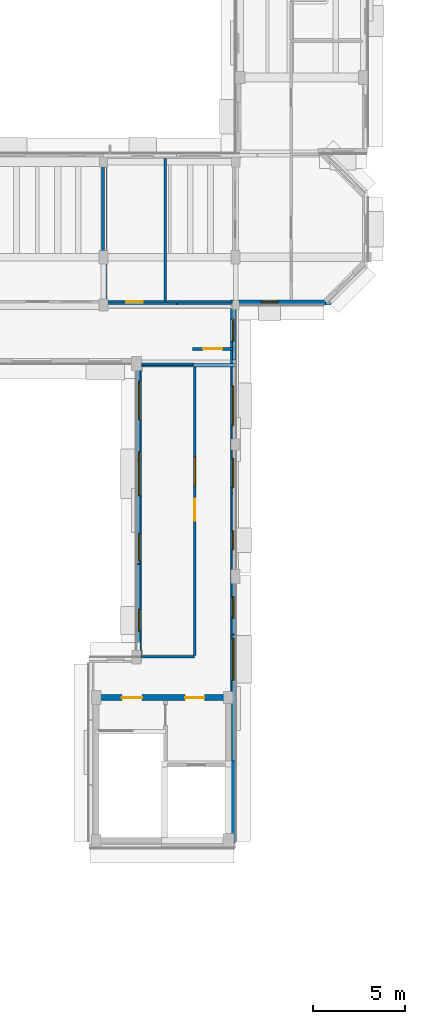
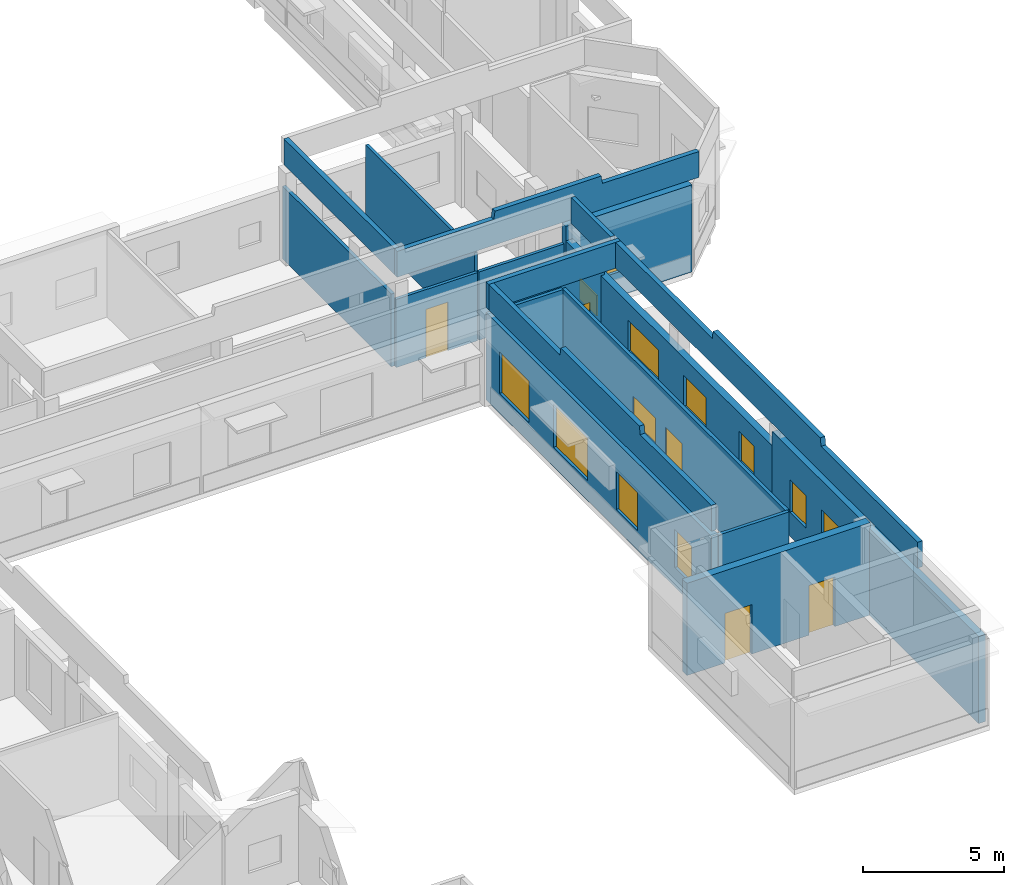
# One storey, part 10 of 17: 19 walls, 12 windows, 5 doors, 17 openings.
"""IFC4 building model written with IfcOpenShell, lengths in metres."""

from ifc_helpers import new_model, si_unit, direction, frame, frame_2d, origin, place, context, subcontext, project, spatial, polyline, rectangle, outline, extrude, material, layer, layer_set, type_object, element, fill, save


model = new_model("IFC4")

# Units and contexts
model_context = context("Model", 3, precision=1e-05, world=origin(), true_north=direction((0.0, 1.0)))
body_context = subcontext(model_context, "Body", "Model", "MODEL_VIEW")
ifc_project = project(units=[si_unit("LENGTHUNIT", "METRE"), si_unit("AREAUNIT", "SQUARE_METRE"), si_unit("VOLUMEUNIT", "CUBIC_METRE"), si_unit("PLANEANGLEUNIT", "RADIAN"), si_unit("MASSUNIT", "GRAM", prefix="KILO")], contexts=[model_context])

# Site, building, storey
site_placement = place(None, origin())
site = spatial("IfcSite", under=ifc_project, at=site_placement, CompositionType="ELEMENT")
building_placement = place(site_placement, origin())
building = spatial("IfcBuilding", under=site, at=building_placement, Name="Kelanivale Promenade Academy", CompositionType="ELEMENT")
storey_placement = place(building_placement, frame((0.0, 0.0, 20.199951171875)))
storey = spatial("IfcBuildingStorey", under=building, at=storey_placement, Name="L05", CompositionType="ELEMENT", Elevation=20.199951171875)

# Wall, openings, doors
ifc_material_1 = material(Name="Concrete C40/50", Category="concrete")
ifc_layer_1 = layer(ifc_material_1, 0.330078125)
ifc_layer_set_1 = layer_set([ifc_layer_1], Name="Concrete C40/50")
wall_type_1 = type_object("IfcWallType", Name="CW-S1 Wall 330mm", PredefinedType="SHEAR", material=ifc_layer_set_1)
wall_1_placement = place(storey_placement, frame((107.8349609375, 50.199951171875, 0.0), z_axis=(0.0, 0.0, 1.0), x_axis=(1.0, 0.0, 0.0)))
wall_1 = element("IfcWall", 1, at=wall_1_placement, inside=storey, type_object=wall_type_1, Name="CORE-3 RC shear wall N L05", PredefinedType="SHEAR", context=body_context, shape_type="SweptSolid", body=[
    extrude(rectangle(XDim=7.530029296875, YDim=0.330078125, at=frame_2d((3.76513671875, 0.0))), origin(), (0.0, 0.0, 1.0), 4.0),
])
opening_1_placement = place(wall_1_placement, frame((5.014892578125, 0.0, 0.0)))
opening_1 = element("IfcOpeningElement", 2, at=opening_1_placement, cuts=wall_1, Name="Opening FD-CORE-3-LB-L05", PredefinedType="OPENING", context=body_context, shape_type="SweptSolid", body=[
    extrude(rectangle(XDim=1.050048828125, YDim=2.14990234375, at=frame_2d((0.52490234375, 1.074951171875))), frame((0.0, 0.175048828125, 0.0), z_axis=(0.0, -1.0, 0.0), x_axis=(1.0, 0.0, 0.0)), (0.0, 0.0, 1.0), 0.35009765625),
])
opening_2_placement = place(wall_1_placement, frame((1.56494140625, 0.0, 0.0)))
opening_2 = element("IfcOpeningElement", 3, at=opening_2_placement, cuts=wall_1, Name="Opening FD-CORE-3-ST-L05", PredefinedType="OPENING", context=body_context, shape_type="SweptSolid", body=[
    extrude(rectangle(XDim=1.10009765625, YDim=2.14990234375, at=frame_2d((0.550048828125, 1.074951171875))), frame((0.0, 0.175048828125, 0.0), z_axis=(0.0, -1.0, 0.0), x_axis=(1.0, 0.0, 0.0)), (0.0, 0.0, 1.0), 0.35009765625),
])
ifc_material_2 = material(Name="Fire-rated steel-core teak veneer", Category="steel")
door_type_1 = type_object("IfcDoorType", Name="DT-F01 Door 1100x2150", OperationType="NOTDEFINED", PredefinedType="DOOR", material=ifc_material_2)
door_1_placement = place(opening_2_placement, origin())
door_1 = element("IfcDoor", 4, at=door_1_placement, inside=storey, type_object=door_type_1, Name="CORE-3 protected stair fire door L05", OperationType="SINGLE_SWING_RIGHT", OverallHeight=2.14990234375, OverallWidth=1.10009765625, PredefinedType="DOOR", context=body_context, shape_type="SweptSolid", body=[
    extrude(rectangle(XDim=1.10009765625, YDim=2.14990234375, at=frame_2d((0.550048828125, 1.074951171875))), frame((0.0, 0.02490234375, 0.0), z_axis=(0.0, -1.0, 0.0), x_axis=(1.0, 0.0, 0.0)), (0.0, 0.0, 1.0), 0.050048828125),
])
fill(opening_2, door_1)
door_type_2 = type_object("IfcDoorType", Name="DT-F03 Door 1050x2150", OperationType="NOTDEFINED", PredefinedType="DOOR", material=ifc_material_2)
door_2_placement = place(opening_1_placement, origin())
door_2 = element("IfcDoor", 5, at=door_2_placement, inside=storey, type_object=door_type_2, Name="CORE-3 corridor-to-lobby fire door L05", OperationType="SINGLE_SWING_LEFT", OverallHeight=2.14990234375, OverallWidth=1.050048828125, PredefinedType="DOOR", context=body_context, shape_type="SweptSolid", body=[
    extrude(rectangle(XDim=1.050048828125, YDim=2.14990234375, at=frame_2d((0.52490234375, 1.074951171875))), frame((0.0, 0.02490234375, 0.0), z_axis=(0.0, -1.0, 0.0), x_axis=(1.0, 0.0, 0.0)), (0.0, 0.0, 1.0), 0.050048828125),
])
fill(opening_1, door_2)

# Wall, openings, windows
ifc_material_3 = material(Name="Insulated ivory stucco masonry wall 280 mm", Category="masonry")
ifc_layer_2 = layer(ifc_material_3, 0.280029296875)
ifc_layer_set_2 = layer_set([ifc_layer_2], Name="Insulated ivory stucco masonry wall 280 mm")
wall_type_2 = type_object("IfcWallType", Name="EW-02 Wall 280mm", PredefinedType="SOLIDWALL", material=ifc_layer_set_2)
wall_2_placement = place(storey_placement, frame((110.340087890625, 68.39990234375, 0.0), z_axis=(0.0, 0.0, 1.0), x_axis=(0.0, -1.0, 0.0)))
wall_2 = element("IfcWall", 6, at=wall_2_placement, inside=storey, type_object=wall_type_2, Name="L05 exterior facade wall EW-L05-ORT-0563", PredefinedType="SOLIDWALL", context=body_context, shape_type="SweptSolid", body=[
    extrude(rectangle(XDim=16.0, YDim=0.280029296875, at=frame_2d((8.0, 0.0))), origin(), (0.0, 0.0, 1.0), 3.780029296875),
])
opening_3_placement = place(wall_2_placement, frame((0.949951171875, 0.0, 0.85009765625)))
opening_3 = element("IfcOpeningElement", 7, at=opening_3_placement, cuts=wall_2, Name="Opening WT-02", PredefinedType="OPENING", context=body_context, shape_type="SweptSolid", body=[
    extrude(rectangle(XDim=2.10009765625, YDim=1.800048828125, at=frame_2d((1.050048828125, 0.89990234375))), frame((0.0, 0.14990234375, 0.0), z_axis=(0.0, -1.0, 0.0), x_axis=(1.0, 0.0, 0.0)), (0.0, 0.0, 1.0), 0.300048828125),
])
opening_4_placement = place(wall_2_placement, frame((4.800048828125, 0.0, 0.85009765625)))
opening_4 = element("IfcOpeningElement", 8, at=opening_4_placement, cuts=wall_2, Name="Opening WT-03", PredefinedType="OPENING", context=body_context, shape_type="SweptSolid", body=[
    extrude(rectangle(XDim=2.39990234375, YDim=1.85009765625, at=frame_2d((1.199951171875, 0.925048828125))), frame((0.0, 0.14990234375, 0.0), z_axis=(0.0, -1.0, 0.0), x_axis=(1.0, 0.0, 0.0)), (0.0, 0.0, 1.0), 0.300048828125),
])
opening_5_placement = place(wall_2_placement, frame((9.25, 0.0, 0.85009765625)))
opening_5 = element("IfcOpeningElement", 9, at=opening_5_placement, cuts=wall_2, Name="Opening WT-04", PredefinedType="OPENING", context=body_context, shape_type="SweptSolid", body=[
    extrude(rectangle(XDim=1.5, YDim=1.64990234375, at=frame_2d((0.75, 0.824951171875))), frame((0.0, 0.14990234375, 0.0), z_axis=(0.0, -1.0, 0.0), x_axis=(1.0, 0.0, 0.0)), (0.0, 0.0, 1.0), 0.300048828125),
])
opening_6_placement = place(wall_2_placement, frame((13.39990234375, 0.0, 0.85009765625)))
opening_6 = element("IfcOpeningElement", 10, at=opening_6_placement, cuts=wall_2, Name="Opening WT-05", PredefinedType="OPENING", context=body_context, shape_type="SweptSolid", body=[
    extrude(rectangle(XDim=1.199951171875, YDim=1.64990234375, at=frame_2d((0.60009765625, 0.824951171875))), frame((0.0, 0.14990234375, 0.0), z_axis=(0.0, -1.0, 0.0), x_axis=(1.0, 0.0, 0.0)), (0.0, 0.0, 1.0), 0.300048828125),
])
ifc_material_4 = material(Name="Bronze anodised aluminium frame with low-E laminated glass", Category="aluminium")
window_type_1 = type_object("IfcWindowType", Name="WT-02 Window 2100x1800", PartitioningType="SINGLE_PANEL", PredefinedType="WINDOW", material=ifc_material_4)
window_1_placement = place(opening_3_placement, origin())
window_1 = element("IfcWindow", 11, at=window_1_placement, inside=storey, type_object=window_type_1, Name="Window WT-02", OverallHeight=1.800048828125, OverallWidth=2.10009765625, PartitioningType="SINGLE_PANEL", PredefinedType="WINDOW", context=body_context, shape_type="SweptSolid", body=[
    extrude(rectangle(XDim=2.10009765625, YDim=1.800048828125, at=frame_2d((1.050048828125, 0.89990234375))), frame((0.0, 0.030029296875, 0.0), z_axis=(0.0, -1.0, 0.0), x_axis=(1.0, 0.0, 0.0)), (0.0, 0.0, 1.0), 0.06005859375),
])
fill(opening_3, window_1)
window_type_2 = type_object("IfcWindowType", Name="WT-03 Window 2400x1850", PartitioningType="SINGLE_PANEL", PredefinedType="WINDOW", material=ifc_material_4)
window_2_placement = place(opening_4_placement, origin())
window_2 = element("IfcWindow", 12, at=window_2_placement, inside=storey, type_object=window_type_2, Name="Window WT-03", OverallHeight=1.85009765625, OverallWidth=2.39990234375, PartitioningType="SINGLE_PANEL", PredefinedType="WINDOW", context=body_context, shape_type="SweptSolid", body=[
    extrude(rectangle(XDim=2.39990234375, YDim=1.85009765625, at=frame_2d((1.199951171875, 0.925048828125))), frame((0.0, 0.030029296875, 0.0), z_axis=(0.0, -1.0, 0.0), x_axis=(1.0, 0.0, 0.0)), (0.0, 0.0, 1.0), 0.06005859375),
])
fill(opening_4, window_2)
window_type_3 = type_object("IfcWindowType", Name="WT-04 Window 1500x1650", PartitioningType="SINGLE_PANEL", PredefinedType="WINDOW", material=ifc_material_4)
window_3_placement = place(opening_5_placement, origin())
window_3 = element("IfcWindow", 13, at=window_3_placement, inside=storey, type_object=window_type_3, Name="Window WT-04", OverallHeight=1.64990234375, OverallWidth=1.5, PartitioningType="SINGLE_PANEL", PredefinedType="WINDOW", context=body_context, shape_type="SweptSolid", body=[
    extrude(rectangle(XDim=1.5, YDim=1.64990234375, at=frame_2d((0.75, 0.824951171875))), frame((0.0, 0.030029296875, 0.0), z_axis=(0.0, -1.0, 0.0), x_axis=(1.0, 0.0, 0.0)), (0.0, 0.0, 1.0), 0.06005859375),
])
fill(opening_5, window_3)
window_type_4 = type_object("IfcWindowType", Name="WT-05 Window 1200x1650", PartitioningType="SINGLE_PANEL", PredefinedType="WINDOW", material=ifc_material_4)
window_4_placement = place(opening_6_placement, origin())
window_4 = element("IfcWindow", 14, at=window_4_placement, inside=storey, type_object=window_type_4, Name="Window WT-05", OverallHeight=1.64990234375, OverallWidth=1.199951171875, PartitioningType="SINGLE_PANEL", PredefinedType="WINDOW", context=body_context, shape_type="SweptSolid", body=[
    extrude(rectangle(XDim=1.199951171875, YDim=1.64990234375, at=frame_2d((0.60009765625, 0.824951171875))), frame((0.0, 0.030029296875, 0.0), z_axis=(0.0, -1.0, 0.0), x_axis=(1.0, 0.0, 0.0)), (0.0, 0.0, 1.0), 0.06005859375),
])
fill(opening_6, window_4)

wall_3_placement = place(storey_placement, frame((115.4599609375, 42.280029296875, 0.0), z_axis=(0.0, 0.0, 1.0), x_axis=(0.0, 1.0, 0.0)))
wall_3 = element("IfcWall", 15, at=wall_3_placement, inside=storey, type_object=wall_type_2, Name="L05 exterior facade wall EW-L05-ORT-0567", PredefinedType="SOLIDWALL", context=body_context, shape_type="SweptSolid", body=[
    extrude(rectangle(XDim=14.659912109375, YDim=0.280029296875, at=frame_2d((7.330078125, 0.0))), origin(), (0.0, 0.0, 1.0), 3.780029296875),
])
opening_7_placement = place(wall_3_placement, frame((8.862060546875, 0.0, 1.050048828125)))
opening_7 = element("IfcOpeningElement", 16, at=opening_7_placement, cuts=wall_3, Name="Opening WT-28", PredefinedType="OPENING", context=body_context, shape_type="SweptSolid", body=[
    extrude(rectangle(XDim=2.300048828125, YDim=1.449951171875, at=frame_2d((1.14990234375, 0.72509765625))), frame((0.0, 0.14990234375, 0.0), z_axis=(0.0, -1.0, 0.0), x_axis=(1.0, 0.0, 0.0)), (0.0, 0.0, 1.0), 0.300048828125),
])
opening_8_placement = place(wall_3_placement, frame((12.251953125, 0.0, 1.050048828125)))
opening_8 = element("IfcOpeningElement", 17, at=opening_8_placement, cuts=wall_3, Name="Opening WT-29", PredefinedType="OPENING", context=body_context, shape_type="SweptSolid", body=[
    extrude(rectangle(XDim=1.14990234375, YDim=1.39990234375, at=frame_2d((0.574951171875, 0.699951171875))), frame((0.0, 0.14990234375, 0.0), z_axis=(0.0, -1.0, 0.0), x_axis=(1.0, 0.0, 0.0)), (0.0, 0.0, 1.0), 0.300048828125),
])
window_type_5 = type_object("IfcWindowType", Name="WT-28 Window 2300x1450", PartitioningType="SINGLE_PANEL", PredefinedType="WINDOW", material=ifc_material_4)
window_5_placement = place(opening_7_placement, origin())
window_5 = element("IfcWindow", 18, at=window_5_placement, inside=storey, type_object=window_type_5, Name="Window WT-28", OverallHeight=1.449951171875, OverallWidth=2.300048828125, PartitioningType="SINGLE_PANEL", PredefinedType="WINDOW", context=body_context, shape_type="SweptSolid", body=[
    extrude(rectangle(XDim=2.300048828125, YDim=1.449951171875, at=frame_2d((1.14990234375, 0.72509765625))), frame((0.0, 0.030029296875, 0.0), z_axis=(0.0, -1.0, 0.0), x_axis=(1.0, 0.0, 0.0)), (0.0, 0.0, 1.0), 0.06005859375),
])
fill(opening_7, window_5)
window_type_6 = type_object("IfcWindowType", Name="WT-29 Window 1150x1400", PartitioningType="SINGLE_PANEL", PredefinedType="WINDOW", material=ifc_material_4)
window_6_placement = place(opening_8_placement, origin())
window_6 = element("IfcWindow", 19, at=window_6_placement, inside=storey, type_object=window_type_6, Name="Window WT-29", OverallHeight=1.39990234375, OverallWidth=1.14990234375, PartitioningType="SINGLE_PANEL", PredefinedType="WINDOW", context=body_context, shape_type="SweptSolid", body=[
    extrude(rectangle(XDim=1.14990234375, YDim=1.39990234375, at=frame_2d((0.574951171875, 0.699951171875))), frame((0.0, 0.030029296875, 0.0), z_axis=(0.0, -1.0, 0.0), x_axis=(1.0, 0.0, 0.0)), (0.0, 0.0, 1.0), 0.06005859375),
])
fill(opening_8, window_6)

wall_4_placement = place(storey_placement, frame((115.4599609375, 56.93994140625, 0.0), z_axis=(0.0, 0.0, 1.0), x_axis=(0.0, 1.0, 0.0)))
wall_4 = element("IfcWall", 20, at=wall_4_placement, inside=storey, type_object=wall_type_2, Name="L05 exterior facade wall EW-L05-ORT-0568", PredefinedType="SOLIDWALL", context=body_context, shape_type="SweptSolid", body=[
    extrude(rectangle(XDim=14.66015625, YDim=0.280029296875, at=frame_2d((7.330078125, 0.0))), origin(), (0.0, 0.0, 1.0), 3.155029296875),
])
opening_9_placement = place(wall_4_placement, frame((1.306884765625, 0.0, 1.050048828125)))
opening_9 = element("IfcOpeningElement", 21, at=opening_9_placement, cuts=wall_4, Name="Opening WT-30", PredefinedType="OPENING", context=body_context, shape_type="SweptSolid", body=[
    extrude(rectangle(XDim=1.050048828125, YDim=1.300048828125, at=frame_2d((0.52490234375, 0.64990234375))), frame((0.0, 0.14990234375, 0.0), z_axis=(0.0, -1.0, 0.0), x_axis=(1.0, 0.0, 0.0)), (0.0, 0.0, 1.0), 0.300048828125),
])
opening_10_placement = place(wall_4_placement, frame((4.697021484375, 0.0, 1.050048828125)))
opening_10 = element("IfcOpeningElement", 22, at=opening_10_placement, cuts=wall_4, Name="Opening WT-07", PredefinedType="OPENING", context=body_context, shape_type="SweptSolid", body=[
    extrude(rectangle(XDim=1.60009765625, YDim=1.35009765625, at=frame_2d((0.800048828125, 0.675048828125))), frame((0.0, 0.14990234375, 0.0), z_axis=(0.0, -1.0, 0.0), x_axis=(1.0, 0.0, 0.0)), (0.0, 0.0, 1.0), 0.300048828125),
])
opening_11_placement = place(wall_4_placement, frame((8.06201171875, 0.0, 1.050048828125)))
opening_11 = element("IfcOpeningElement", 23, at=opening_11_placement, cuts=wall_4, Name="Opening WT-08", PredefinedType="OPENING", context=body_context, shape_type="SweptSolid", body=[
    extrude(rectangle(XDim=2.199951171875, YDim=1.35009765625, at=frame_2d((1.10009765625, 0.675048828125))), frame((0.0, 0.14990234375, 0.0), z_axis=(0.0, -1.0, 0.0), x_axis=(1.0, 0.0, 0.0)), (0.0, 0.0, 1.0), 0.300048828125),
])
opening_12_placement = place(wall_4_placement, frame((12.677001953125, 0.0, 1.050048828125)))
opening_12 = element("IfcOpeningElement", 24, at=opening_12_placement, cuts=wall_4, Name="Opening WT-09", PredefinedType="OPENING", context=body_context, shape_type="SweptSolid", body=[
    extrude(rectangle(XDim=1.199951171875, YDim=0.89990234375, at=frame_2d((0.60009765625, 0.449951171875))), frame((0.0, 0.14990234375, 0.0), z_axis=(0.0, -1.0, 0.0), x_axis=(1.0, 0.0, 0.0)), (0.0, 0.0, 1.0), 0.300048828125),
])
window_type_7 = type_object("IfcWindowType", Name="WT-07 Window 1600x1350", PartitioningType="SINGLE_PANEL", PredefinedType="WINDOW", material=ifc_material_4)
window_7_placement = place(opening_10_placement, origin())
window_7 = element("IfcWindow", 25, at=window_7_placement, inside=storey, type_object=window_type_7, Name="Window WT-07", OverallHeight=1.35009765625, OverallWidth=1.60009765625, PartitioningType="SINGLE_PANEL", PredefinedType="WINDOW", context=body_context, shape_type="SweptSolid", body=[
    extrude(rectangle(XDim=1.60009765625, YDim=1.35009765625, at=frame_2d((0.800048828125, 0.675048828125))), frame((0.0, 0.030029296875, 0.0), z_axis=(0.0, -1.0, 0.0), x_axis=(1.0, 0.0, 0.0)), (0.0, 0.0, 1.0), 0.06005859375),
])
fill(opening_10, window_7)
window_type_8 = type_object("IfcWindowType", Name="WT-08 Window 2200x1350", PartitioningType="SINGLE_PANEL", PredefinedType="WINDOW", material=ifc_material_4)
window_8_placement = place(opening_11_placement, origin())
window_8 = element("IfcWindow", 26, at=window_8_placement, inside=storey, type_object=window_type_8, Name="Window WT-08", OverallHeight=1.35009765625, OverallWidth=2.199951171875, PartitioningType="SINGLE_PANEL", PredefinedType="WINDOW", context=body_context, shape_type="SweptSolid", body=[
    extrude(rectangle(XDim=2.199951171875, YDim=1.35009765625, at=frame_2d((1.10009765625, 0.675048828125))), frame((0.0, 0.030029296875, 0.0), z_axis=(0.0, -1.0, 0.0), x_axis=(1.0, 0.0, 0.0)), (0.0, 0.0, 1.0), 0.06005859375),
])
fill(opening_11, window_8)
window_type_9 = type_object("IfcWindowType", Name="WT-09 Window 1200x900", PartitioningType="SINGLE_PANEL", PredefinedType="WINDOW", material=ifc_material_4)
window_9_placement = place(opening_12_placement, origin())
window_9 = element("IfcWindow", 27, at=window_9_placement, inside=storey, type_object=window_type_9, Name="Window WT-09", OverallHeight=0.89990234375, OverallWidth=1.199951171875, PartitioningType="SINGLE_PANEL", PredefinedType="WINDOW", context=body_context, shape_type="SweptSolid", body=[
    extrude(rectangle(XDim=1.199951171875, YDim=0.89990234375, at=frame_2d((0.60009765625, 0.449951171875))), frame((0.0, 0.030029296875, 0.0), z_axis=(0.0, -1.0, 0.0), x_axis=(1.0, 0.0, 0.0)), (0.0, 0.0, 1.0), 0.06005859375),
])
fill(opening_12, window_9)
window_type_10 = type_object("IfcWindowType", Name="WT-30 Window 1050x1300", PartitioningType="SINGLE_PANEL", PredefinedType="WINDOW", material=ifc_material_4)
window_10_placement = place(opening_9_placement, origin())
window_10 = element("IfcWindow", 28, at=window_10_placement, inside=storey, type_object=window_type_10, Name="Window WT-30", OverallHeight=1.300048828125, OverallWidth=1.050048828125, PartitioningType="SINGLE_PANEL", PredefinedType="WINDOW", context=body_context, shape_type="SweptSolid", body=[
    extrude(rectangle(XDim=1.050048828125, YDim=1.300048828125, at=frame_2d((0.52490234375, 0.64990234375))), frame((0.0, 0.030029296875, 0.0), z_axis=(0.0, -1.0, 0.0), x_axis=(1.0, 0.0, 0.0)), (0.0, 0.0, 1.0), 0.06005859375),
])
fill(opening_9, window_10)

# Wall, opening, window
wall_5_placement = place(storey_placement, frame((115.320068359375, 71.739990234375, 0.0), z_axis=(0.0, 0.0, 1.0), x_axis=(1.0, 0.0, 0.0)))
wall_5 = element("IfcWall", 29, at=wall_5_placement, inside=storey, type_object=wall_type_2, Name="L05 exterior facade wall EW-L05-ORT-0569", PredefinedType="SOLIDWALL", context=body_context, shape_type="SweptSolid", body=[
    extrude(rectangle(XDim=5.16796875, YDim=0.280029296875, at=frame_2d((2.583984375, 0.0))), origin(), (0.0, 0.0, 1.0), 3.780029296875),
])
opening_13_placement = place(wall_5_placement, frame((1.68408203125, 0.0, 1.050048828125)))
opening_13 = element("IfcOpeningElement", 30, at=opening_13_placement, cuts=wall_5, Name="Opening WT-10", PredefinedType="OPENING", context=body_context, shape_type="SweptSolid", body=[
    extrude(rectangle(XDim=0.89990234375, YDim=0.89990234375, at=frame_2d((0.449951171875, 0.449951171875))), frame((0.0, 0.14990234375, 0.0), z_axis=(0.0, -1.0, 0.0), x_axis=(1.0, 0.0, 0.0)), (0.0, 0.0, 1.0), 0.300048828125),
])
window_type_11 = type_object("IfcWindowType", Name="WT-10 Window 900x900", PartitioningType="SINGLE_PANEL", PredefinedType="WINDOW", material=ifc_material_4)
window_11_placement = place(opening_13_placement, origin())
window_11 = element("IfcWindow", 31, at=window_11_placement, inside=storey, type_object=window_type_11, Name="Window WT-10", OverallHeight=0.89990234375, OverallWidth=0.89990234375, PartitioningType="SINGLE_PANEL", PredefinedType="WINDOW", context=body_context, shape_type="SweptSolid", body=[
    extrude(rectangle(XDim=0.89990234375, YDim=0.89990234375, at=frame_2d((0.449951171875, 0.449951171875))), frame((0.0, 0.030029296875, 0.0), z_axis=(0.0, -1.0, 0.0), x_axis=(1.0, 0.0, 0.0)), (0.0, 0.0, 1.0), 0.06005859375),
])
fill(opening_13, window_11)

# Wall, opening, door
ifc_material_5 = material(Name="Autoclaved masonry blockwork 180 mm", Category="masonry")
ifc_layer_3 = layer(ifc_material_5, 0.179931640625)
ifc_layer_set_3 = layer_set([ifc_layer_3], Name="Autoclaved masonry blockwork 180 mm")
wall_type_3 = type_object("IfcWallType", Name="IW-02 Wall 180mm", PredefinedType="PARTITIONING", material=ifc_layer_set_3)
wall_6_placement = place(storey_placement, frame((113.25, 69.199951171875, 0.0), z_axis=(0.0, 0.0, 1.0), x_axis=(1.0, 0.0, 0.0)))
wall_6 = element("IfcWall", 32, at=wall_6_placement, inside=storey, type_object=wall_type_3, Name="L05 cross-corridor fire wall", PredefinedType="PARTITIONING", context=body_context, shape_type="SweptSolid", body=[
    extrude(rectangle(XDim=2.208984375, YDim=0.179931640625, at=frame_2d((1.1044921875, 0.0))), origin(), (0.0, 0.0, 1.0), 3.780029296875),
])
opening_14_placement = place(wall_6_placement, frame((0.580078125, 0.0, 0.0)))
opening_14 = element("IfcOpeningElement", 33, at=opening_14_placement, cuts=wall_6, Name="Opening FD-L05-CC-195", PredefinedType="OPENING", context=body_context, shape_type="SweptSolid", body=[
    extrude(rectangle(XDim=1.050048828125, YDim=2.14990234375, at=frame_2d((0.52490234375, 1.074951171875))), frame((0.0, 0.10009765625, 0.0), z_axis=(0.0, -1.0, 0.0), x_axis=(1.0, 0.0, 0.0)), (0.0, 0.0, 1.0), 0.199951171875),
])
door_3_placement = place(opening_14_placement, origin())
door_3 = element("IfcDoor", 34, at=door_3_placement, inside=storey, type_object=door_type_2, Name="L05 cross-corridor fire door FD-L05-CC-195", OperationType="SINGLE_SWING_LEFT", OverallHeight=2.14990234375, OverallWidth=1.050048828125, PredefinedType="DOOR", context=body_context, shape_type="SweptSolid", body=[
    extrude(rectangle(XDim=1.050048828125, YDim=2.14990234375, at=frame_2d((0.52490234375, 1.074951171875))), frame((0.0, 0.02490234375, 0.0), z_axis=(0.0, -1.0, 0.0), x_axis=(1.0, 0.0, 0.0)), (0.0, 0.0, 1.0), 0.050048828125),
])
fill(opening_14, door_3)

# Wall
ifc_material_6 = material(Name="Acoustic double-stud gypsum board partition 140 mm", Category="masonry")
ifc_layer_4 = layer(ifc_material_6, 0.139892578125)
ifc_layer_set_4 = layer_set([ifc_layer_4], Name="Acoustic double-stud gypsum board partition 140 mm")
wall_type_4 = type_object("IfcWallType", Name="IW-04 Wall 140mm", PredefinedType="PARTITIONING", material=ifc_layer_set_4)
wall_7_placement = place(storey_placement, frame((110.47802734375, 52.429931640625, 0.0), z_axis=(0.0, 0.0, 1.0), x_axis=(1.0, 0.0, 0.0)))
element("IfcWall", 35, at=wall_7_placement, inside=storey, type_object=wall_type_4, Name="L05 partition Sixth Form Media Tutorial Studio", PredefinedType="PARTITIONING", context=body_context, shape_type="SweptSolid", body=[
    extrude(rectangle(XDim=2.89208984375, YDim=0.139892578125, at=frame_2d((1.446044921875, 0.0))), origin(), (0.0, 0.0, 1.0), 3.755126953125),
])

# Wall, openings, door, window
wall_8_placement = place(storey_placement, frame((113.3701171875, 52.498046875, 0.0), z_axis=(0.0, 0.0, 1.0), x_axis=(0.0, 1.0, 0.0)))
wall_8 = element("IfcWall", 36, at=wall_8_placement, inside=storey, type_object=wall_type_4, Name="L05 partition Sixth Form Media Tutorial Studio", PredefinedType="PARTITIONING", context=body_context, shape_type="SweptSolid", body=[
    extrude(rectangle(XDim=15.8720703125, YDim=0.139892578125, at=frame_2d((7.93603515625, 0.0))), origin(), (0.0, 0.0, 1.0), 3.755126953125),
])
opening_15_placement = place(wall_8_placement, frame((7.345947265625, 0.0, 0.0)))
opening_15 = element("IfcOpeningElement", 37, at=opening_15_placement, cuts=wall_8, Name="Opening ID-L05-197", PredefinedType="OPENING", context=body_context, shape_type="SweptSolid", body=[
    extrude(rectangle(XDim=1.179931640625, YDim=2.199951171875, at=frame_2d((0.58984375, 1.10009765625))), frame((0.0, 0.080078125, 0.0), z_axis=(0.0, -1.0, 0.0), x_axis=(1.0, 0.0, 0.0)), (0.0, 0.0, 1.0), 0.159912109375),
])
opening_16_placement = place(wall_8_placement, frame((9.22607421875, 0.0, 1.050048828125)))
opening_16 = element("IfcOpeningElement", 38, at=opening_16_placement, cuts=wall_8, Name="Opening WT-I01", PredefinedType="OPENING", context=body_context, shape_type="SweptSolid", body=[
    extrude(rectangle(XDim=1.60009765625, YDim=1.10009765625, at=frame_2d((0.800048828125, 0.550048828125))), frame((0.0, 0.080078125, 0.0), z_axis=(0.0, -1.0, 0.0), x_axis=(1.0, 0.0, 0.0)), (0.0, 0.0, 1.0), 0.159912109375),
])
ifc_material_7 = material(Name="Solid-core tropical teak timber", Category="wood")
door_type_3 = type_object("IfcDoorType", Name="DT-I18 Door 1180x2200", OperationType="NOTDEFINED", PredefinedType="DOOR", material=ifc_material_7)
door_4_placement = place(opening_15_placement, origin())
door_4 = element("IfcDoor", 39, at=door_4_placement, inside=storey, type_object=door_type_3, Name="Sixth Form Media Tutorial Studio door ID-L05-197", OperationType="SINGLE_SWING_RIGHT", OverallHeight=2.199951171875, OverallWidth=1.179931640625, PredefinedType="DOOR", context=body_context, shape_type="SweptSolid", body=[
    extrude(rectangle(XDim=1.179931640625, YDim=2.199951171875, at=frame_2d((0.58984375, 1.10009765625))), frame((0.0, 0.02490234375, 0.0), z_axis=(0.0, -1.0, 0.0), x_axis=(1.0, 0.0, 0.0)), (0.0, 0.0, 1.0), 0.050048828125),
])
fill(opening_15, door_4)
window_type_12 = type_object("IfcWindowType", Name="WT-I01 Window 1600x1100", PartitioningType="SINGLE_PANEL", PredefinedType="WINDOW", material=ifc_material_4)
window_12_placement = place(opening_16_placement, origin())
window_12 = element("IfcWindow", 40, at=window_12_placement, inside=storey, type_object=window_type_12, Name="Interior observation window WT-I01", OverallHeight=1.10009765625, OverallWidth=1.60009765625, PartitioningType="SINGLE_PANEL", PredefinedType="WINDOW", context=body_context, shape_type="SweptSolid", body=[
    extrude(rectangle(XDim=1.60009765625, YDim=1.10009765625, at=frame_2d((0.800048828125, 0.550048828125))), frame((0.0, 0.030029296875, 0.0), z_axis=(0.0, -1.0, 0.0), x_axis=(1.0, 0.0, 0.0)), (0.0, 0.0, 1.0), 0.06005859375),
])
fill(opening_16, window_12)

# Walls
wall_9_placement = place(storey_placement, frame((113.302001953125, 68.3701171875, 0.0), z_axis=(0.0, 0.0, 1.0), x_axis=(-1.0, 0.0, 0.0)))
element("IfcWall", 41, at=wall_9_placement, inside=storey, type_object=wall_type_4, Name="L05 partition Sixth Form Media Tutorial Studio", PredefinedType="PARTITIONING", context=body_context, shape_type="SweptSolid", body=[
    extrude(rectangle(XDim=2.823974609375, YDim=0.139892578125, at=frame_2d((1.412109375, 0.0))), origin(), (0.0, 0.0, 1.0), 3.755126953125),
])
wall_10_placement = place(storey_placement, frame((108.3701171875, 71.847900390625, 0.0), z_axis=(0.0, 0.0, 1.0), x_axis=(0.0, 1.0, 0.0)))
element("IfcWall", 42, at=wall_10_placement, inside=storey, type_object=wall_type_4, Name="L05 partition University Guidance Seminar Room", PredefinedType="PARTITIONING", context=body_context, shape_type="SweptSolid", body=[
    extrude(rectangle(XDim=7.72412109375, YDim=0.139892578125, at=frame_2d((3.862060546875, 0.0))), origin(), (0.0, 0.0, 1.0), 3.155029296875),
])

# Wall, opening, door
ifc_material_8 = material(Name="Moisture-resistant masonry wet-room partition 125 mm", Category="masonry")
ifc_layer_5 = layer(ifc_material_8, 0.125)
ifc_layer_set_5 = layer_set([ifc_layer_5], Name="Moisture-resistant masonry wet-room partition 125 mm")
wall_type_5 = type_object("IfcWallType", Name="IW-05 Wall 125mm", PredefinedType="PARTITIONING", material=ifc_layer_set_5)
wall_11_placement = place(storey_placement, frame((108.429931640625, 71.780029296875, 0.0), z_axis=(0.0, 0.0, 1.0), x_axis=(1.0, 0.0, 0.0)))
wall_11 = element("IfcWall", 43, at=wall_11_placement, inside=storey, type_object=wall_type_5, Name="L05 partition Girls Washroom", PredefinedType="PARTITIONING", context=body_context, shape_type="SweptSolid", body=[
    extrude(rectangle(XDim=3.340087890625, YDim=0.125, at=frame_2d((1.669921875, 0.0))), origin(), (0.0, 0.0, 1.0), 2.955078125),
])
opening_17_placement = place(wall_11_placement, frame((1.219970703125, 0.0, 0.0)))
opening_17 = element("IfcOpeningElement", 44, at=opening_17_placement, cuts=wall_11, Name="Opening ID-L05-207", PredefinedType="OPENING", context=body_context, shape_type="SweptSolid", body=[
    extrude(rectangle(XDim=0.89990234375, YDim=2.10009765625, at=frame_2d((0.449951171875, 1.050048828125))), frame((0.0, 0.072509765625, 0.0), z_axis=(0.0, -1.0, 0.0), x_axis=(1.0, 0.0, 0.0)), (0.0, 0.0, 1.0), 0.14501953125),
])
door_type_4 = type_object("IfcDoorType", Name="DT-I06 Door 900x2100", OperationType="NOTDEFINED", PredefinedType="DOOR", material=ifc_material_7)
door_5_placement = place(opening_17_placement, origin())
door_5 = element("IfcDoor", 45, at=door_5_placement, inside=storey, type_object=door_type_4, Name="Girls Washroom door ID-L05-207", OperationType="SINGLE_SWING_RIGHT", OverallHeight=2.10009765625, OverallWidth=0.89990234375, PredefinedType="DOOR", context=body_context, shape_type="SweptSolid", body=[
    extrude(rectangle(XDim=0.89990234375, YDim=2.10009765625, at=frame_2d((0.449951171875, 1.050048828125))), frame((0.0, 0.02490234375, 0.0), z_axis=(0.0, -1.0, 0.0), x_axis=(1.0, 0.0, 0.0)), (0.0, 0.0, 1.0), 0.050048828125),
])
fill(opening_17, door_5)

# Walls
wall_12_placement = place(storey_placement, frame((111.77001953125, 71.841064453125, 0.0), z_axis=(0.0, 0.0, 1.0), x_axis=(0.0, 1.0, 0.0)))
element("IfcWall", 46, at=wall_12_placement, inside=storey, type_object=wall_type_5, Name="L05 partition Girls Washroom", PredefinedType="PARTITIONING", context=body_context, shape_type="SweptSolid", body=[
    extrude(rectangle(XDim=7.73095703125, YDim=0.125, at=frame_2d((3.865478515625, 0.0))), origin(), (0.0, 0.0, 1.0), 3.755126953125),
])
wall_13_placement = place(storey_placement, frame((111.830078125, 71.780029296875, 0.0), z_axis=(0.0, 0.0, 1.0), x_axis=(1.0, 0.0, 0.0)))
element("IfcWall", 47, at=wall_13_placement, inside=storey, type_object=wall_type_5, Name="L05 partition Staff Washroom", PredefinedType="PARTITIONING", context=body_context, shape_type="SweptSolid", body=[
    extrude(rectangle(XDim=3.739990234375, YDim=0.125, at=frame_2d((1.8701171875, 0.0))), origin(), (0.0, 0.0, 1.0), 2.955078125),
])
ifc_material_9 = material(Name="Precast concrete C40/50", Category="concrete")
ifc_layer_6 = layer(ifc_material_9, 0.195068359375)
ifc_layer_set_6 = layer_set([ifc_layer_6], Name="Precast concrete C40/50")
wall_type_6 = type_object("IfcWallType", Name="PW-01 Wall 195mm", PredefinedType="PARAPET", material=ifc_layer_set_6)
wall_14_placement = place(storey_placement, frame((115.501953125, 46.7548828125, 4.0), z_axis=(0.0, 0.0, 1.0), x_axis=(0.0, 1.0, 0.0)))
element("IfcWall", 48, at=wall_14_placement, inside=storey, type_object=wall_type_6, Name="RF stepped Art Deco roof parapet", PredefinedType="PARAPET", context=body_context, shape_type="SweptSolid", body=[
    extrude(outline(polyline([(0.0, 0.0), (21.4501953125, 0.0), (21.449951171875, 1.1201171875), (14.5859375, 1.1201171875), (14.535888671875, 1.4599609375), (6.9140625, 1.4599609375), (6.864013671875, 1.1201171875), (0.0, 1.1201171875), (0.0, 0.0)])), frame((0.0, 0.09765625, 0.0), z_axis=(0.0, -1.0, 0.0), x_axis=(1.0, 0.0, 0.0)), (0.0, 0.0, 1.0), 0.195068359375),
])
wall_15_placement = place(storey_placement, frame((115.59912109375, 68.302001953125, 4.0), z_axis=(0.0, 0.0, 1.0), x_axis=(-1.0, 0.0, 0.0)))
element("IfcWall", 49, at=wall_15_placement, inside=storey, type_object=wall_type_6, Name="RF stepped Art Deco roof parapet", PredefinedType="PARAPET", context=body_context, shape_type="SweptSolid", body=[
    extrude(rectangle(XDim=5.398193359375, YDim=0.195068359375, at=frame_2d((2.69921875, 0.0))), origin(), (0.0, 0.0, 1.0), 1.1201171875),
])
wall_16_placement = place(storey_placement, frame((110.298095703125, 68.205078125, 4.0), z_axis=(0.0, 0.0, 1.0), x_axis=(0.0, -1.0, 0.0)))
element("IfcWall", 50, at=wall_16_placement, inside=storey, type_object=wall_type_6, Name="RF stepped Art Deco roof parapet", PredefinedType="PARAPET", context=body_context, shape_type="SweptSolid", body=[
    extrude(outline(polyline([(0.0, 0.0), (15.80615234375, 0.0), (15.805908203125, 1.1201171875), (10.748046875, 1.1201171875), (10.697998046875, 1.4599609375), (5.10791015625, 1.4599609375), (5.05810546875, 1.1201171875), (0.0, 1.1201171875), (0.0, 0.0)])), frame((0.0, 0.09765625, 0.0), z_axis=(0.0, -1.0, 0.0), x_axis=(1.0, 0.0, 0.0)), (0.0, 0.0, 1.0), 0.195068359375),
])
wall_17_placement = place(storey_placement, frame((108.498046875, 79.654052734375, 4.0), z_axis=(0.0, 0.0, 1.0), x_axis=(0.0, -1.0, 0.0)))
element("IfcWall", 51, at=wall_17_placement, inside=storey, type_object=wall_type_6, Name="RF stepped Art Deco roof parapet", PredefinedType="PARAPET", context=body_context, shape_type="SweptSolid", body=[
    extrude(rectangle(XDim=7.859130859375, YDim=0.195068359375, at=frame_2d((3.9296875, 0.0))), origin(), (0.0, 0.0, 1.0), 1.1201171875),
])
wall_18_placement = place(storey_placement, frame((108.40087890625, 71.697998046875, 4.0), z_axis=(0.0, 0.0, 1.0), x_axis=(1.0, 0.0, 0.0)))
element("IfcWall", 52, at=wall_18_placement, inside=storey, type_object=wall_type_6, Name="RF stepped Art Deco roof parapet", PredefinedType="PARAPET", context=body_context, shape_type="SweptSolid", body=[
    extrude(outline(polyline([(0.0, 0.0), (12.38720703125, 0.0), (12.386962890625, 1.1201171875), (8.423095703125, 1.1201171875), (8.373046875, 1.4599609375), (4.013916015625, 1.4599609375), (3.964111328125, 1.1201171875), (0.0, 1.1201171875), (0.0, 0.0)])), frame((0.0, 0.09765625, 0.0), z_axis=(0.0, -1.0, 0.0), x_axis=(1.0, 0.0, 0.0)), (0.0, 0.0, 1.0), 0.195068359375),
])
ifc_layer_7 = layer(ifc_material_9, 0.1650390625)
ifc_layer_set_7 = layer_set([ifc_layer_7], Name="Precast concrete C40/50")
wall_type_7 = type_object("IfcWallType", Name="PW-02 Wall 165mm", PredefinedType="PARAPET", material=ifc_layer_set_7)
wall_19_placement = place(storey_placement, frame((115.501953125, 68.595947265625, 4.0), z_axis=(0.0, 0.0, 1.0), x_axis=(0.0, 1.0, 0.0)))
element("IfcWall", 53, at=wall_19_placement, inside=storey, type_object=wall_type_7, Name="RF stepped Art Deco roof parapet", PredefinedType="PARAPET", context=body_context, shape_type="SweptSolid", body=[
    extrude(rectangle(XDim=2.80810546875, YDim=0.1650390625, at=frame_2d((1.404052734375, 0.0))), origin(), (0.0, 0.0, 1.0), 1.1201171875),
])

save(model, "model.ifc")
